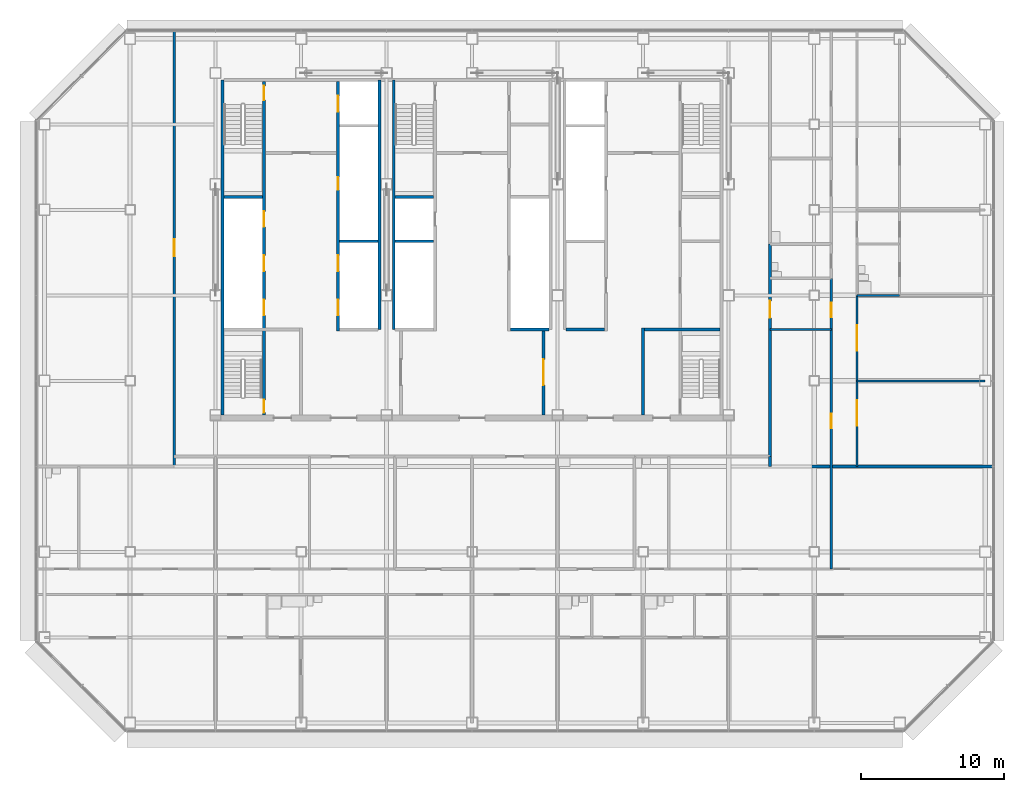
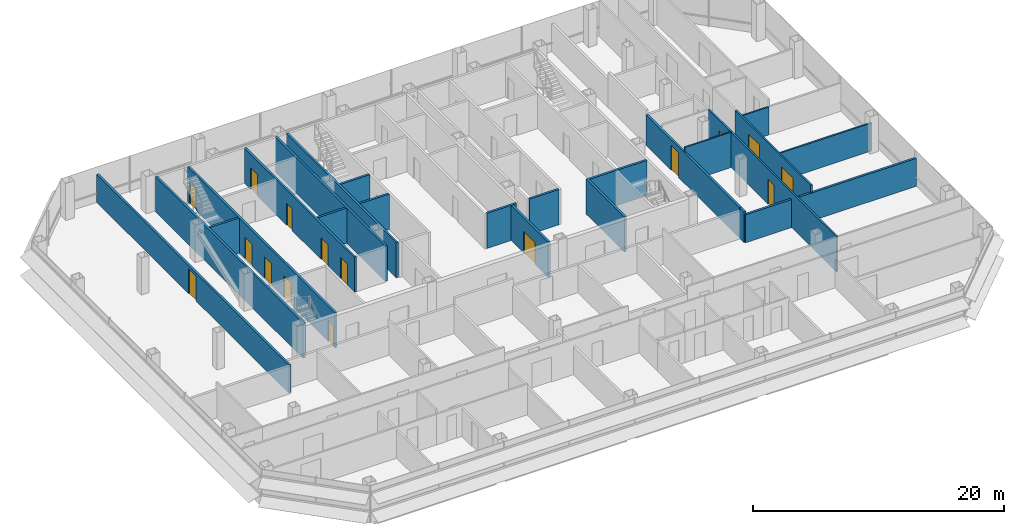
# One storey, part 21 of 25: 23 walls, 16 doors, 16 openings.
"""IFC4 building model written with IfcOpenShell, lengths in metres."""

from ifc_helpers import new_model, si_unit, direction, frame, frame_2d, origin, place, context, subcontext, project, spatial, rectangle, extrude, material, layer, layer_set, type_object, element, fill, save


model = new_model("IFC4")

# Units and contexts
model_context = context("Model", 3, precision=1e-05, world=origin(), true_north=direction((0.0, 1.0)))
body_context = subcontext(model_context, "Body", "Model", "MODEL_VIEW")
ifc_project = project(units=[si_unit("LENGTHUNIT", "METRE"), si_unit("AREAUNIT", "SQUARE_METRE"), si_unit("VOLUMEUNIT", "CUBIC_METRE"), si_unit("PLANEANGLEUNIT", "RADIAN"), si_unit("MASSUNIT", "GRAM", prefix="KILO")], contexts=[model_context])

# Site, building, storey
site_placement = place(None, origin())
site = spatial("IfcSite", under=ifc_project, at=site_placement, CompositionType="ELEMENT")
building_placement = place(site_placement, origin())
building = spatial("IfcBuilding", under=site, at=building_placement, Name="Sorahane Residences", CompositionType="ELEMENT")
storey_placement = place(building_placement, frame((0.0, 0.0, 126.800048828125)))
storey = spatial("IfcBuildingStorey", under=building, at=storey_placement, Name="L28", CompositionType="ELEMENT", Elevation=126.800048828125)

# Walls
ifc_material_1 = material(Name="Concrete C30", Category="concrete")
ifc_layer_1 = layer(ifc_material_1, 0.199951171875)
ifc_layer_set_1 = layer_set([ifc_layer_1], Name="Core face wall 200 EI 180")
wall_type_1 = type_object("IfcWallType", Name="Core face wall 200 EI 180", PredefinedType="SOLIDWALL", material=ifc_layer_set_1)
wall_1_placement = place(storey_placement, frame((6.5, 21.60009765625, 0.0), z_axis=(0.0, 0.0, 1.0), x_axis=(0.0, 1.0, 0.0)))
element("IfcWall", 1, at=wall_1_placement, inside=storey, type_object=wall_type_1, Name="L28 core face wall", PredefinedType="SOLIDWALL", context=body_context, shape_type="SweptSolid", body=[
    extrude(rectangle(XDim=23.5, YDim=0.199951171875, at=frame_2d((11.75, 0.0))), origin(), (0.0, 0.0, 1.0), 3.419921875),
])
for number, where, z_axis, x_axis, name in (
    (2, (17.5, 27.60009765625, 0.0), (0.0, 0.0, 1.0), (0.0, 1.0, 0.0), "L28 core face wall"),
    (3, (18.5, 27.60009765625, 0.0), (0.0, 0.0, 1.0), (0.0, 1.0, 0.0), "L28 core face wall"),
):
    element("IfcWall", number, at=place(storey_placement, frame(where, z_axis=z_axis, x_axis=x_axis)), inside=storey, type_object=wall_type_1, Name=name, PredefinedType="SOLIDWALL", context=body_context, shape_type="SweptSolid", body=[
        extrude(rectangle(XDim=17.5, YDim=0.199951171875, at=frame_2d((8.75, 0.0))), origin(), (0.0, 0.0, 1.0), 3.419921875),
    ])

# Wall, opening, door
ifc_material_2 = material(Name="Concrete blockwork C20 wall", Category="masonry")
ifc_layer_2 = layer(ifc_material_2, 0.199951171875)
ifc_layer_set_2 = layer_set([ifc_layer_2], Name="Corridor wall 200 EI 120")
wall_type_2 = type_object("IfcWallType", Name="Corridor wall 200 EI 120", PredefinedType="SOLIDWALL", material=ifc_layer_set_2)
wall_2_placement = place(storey_placement, frame((3.10009765625, 18.0, 0.0), z_axis=(0.0, 0.0, 1.0), x_axis=(0.0, 1.0, 0.0)))
wall_2 = element("IfcWall", 4, at=wall_2_placement, inside=storey, type_object=wall_type_2, Name="L28 corridor wall", PredefinedType="SOLIDWALL", context=body_context, shape_type="SweptSolid", body=[
    extrude(rectangle(XDim=30.60009765625, YDim=0.199951171875, at=frame_2d((15.300048828125, 0.0))), origin(), (0.0, 0.0, 1.0), 2.719970703125),
])
opening_1_placement = place(wall_2_placement, frame((14.75, 0.0, 0.0)))
opening_1 = element("IfcOpeningElement", 5, at=opening_1_placement, cuts=wall_2, Name="Opening L28-43", PredefinedType="OPENING", context=body_context, shape_type="SweptSolid", body=[
    extrude(rectangle(XDim=1.199951171875, YDim=2.39990234375, at=frame_2d((0.60009765625, 1.199951171875))), frame((0.0, 0.10986328125, 0.0), z_axis=(0.0, -1.0, 0.0), x_axis=(1.0, 0.0, 0.0)), (0.0, 0.0, 1.0), 0.219970703125),
])
ifc_material_3 = material(Name="Steel", Category="steel")
door_type_1 = type_object("IfcDoorType", Name="Lobby door 1200x2400 FD60", OperationType="NOTDEFINED", PredefinedType="DOOR", material=ifc_material_3)
door_1_placement = place(opening_1_placement, origin())
door_1 = element("IfcDoor", 6, at=door_1_placement, inside=storey, type_object=door_type_1, Name="Lobby door L28-43", OperationType="SINGLE_SWING_LEFT", OverallHeight=2.39990234375, OverallWidth=1.199951171875, PredefinedType="DOOR", context=body_context, shape_type="SweptSolid", body=[
    extrude(rectangle(XDim=1.199951171875, YDim=2.39990234375, at=frame_2d((0.60009765625, 1.199951171875))), frame((0.0, 0.02490234375, 0.0), z_axis=(0.0, -1.0, 0.0), x_axis=(1.0, 0.0, 0.0)), (0.0, 0.0, 1.0), 0.050048828125),
])
fill(opening_1, door_1)

wall_3_placement = place(storey_placement, frame((44.89990234375, 18.699951171875, 0.0), z_axis=(0.0, 0.0, 1.0), x_axis=(0.0, 1.0, 0.0)))
wall_3 = element("IfcWall", 7, at=wall_3_placement, inside=storey, type_object=wall_type_2, Name="L28 corridor wall", PredefinedType="SOLIDWALL", context=body_context, shape_type="SweptSolid", body=[
    extrude(rectangle(XDim=14.900146484375, YDim=0.199951171875, at=frame_2d((7.4501953125, 0.0))), origin(), (0.0, 0.0, 1.0), 2.969970703125),
])
opening_2_placement = place(wall_3_placement, frame((9.719970703125, 0.0, 0.0)))
opening_2 = element("IfcOpeningElement", 8, at=opening_2_placement, cuts=wall_3, Name="Opening L28-42", PredefinedType="OPENING", context=body_context, shape_type="SweptSolid", body=[
    extrude(rectangle(XDim=1.199951171875, YDim=2.39990234375, at=frame_2d((0.60009765625, 1.199951171875))), frame((0.0, 0.10986328125, 0.0), z_axis=(0.0, -1.0, 0.0), x_axis=(1.0, 0.0, 0.0)), (0.0, 0.0, 1.0), 0.219970703125),
])
ifc_material_4 = material(Name="Timber veneered fire door", Category="wood")
door_type_2 = type_object("IfcDoorType", Name="Flat entrance door 1200x2400 FD60", OperationType="NOTDEFINED", PredefinedType="DOOR", material=ifc_material_4)
door_2_placement = place(opening_2_placement, frame((1.199951171875, 0.0, 0.0), z_axis=(0.0, 0.0, 1.0), x_axis=(-1.0, 0.0, 0.0)))
door_2 = element("IfcDoor", 9, at=door_2_placement, inside=storey, type_object=door_type_2, Name="Flat entrance door L28-42", OperationType="SINGLE_SWING_RIGHT", OverallHeight=2.39990234375, OverallWidth=1.199951171875, PredefinedType="DOOR", context=body_context, shape_type="SweptSolid", body=[
    extrude(rectangle(XDim=1.199951171875, YDim=2.39990234375, at=frame_2d((0.60009765625, 1.199951171875))), frame((0.0, 0.02490234375, 0.0), z_axis=(0.0, -1.0, 0.0), x_axis=(1.0, 0.0, 0.0)), (0.0, 0.0, 1.0), 0.050048828125),
])
fill(opening_2, door_2)

# Wall
ifc_material_5 = material(Name="Concrete C30", Category="concrete")
ifc_layer_3 = layer(ifc_material_5, 0.199951171875)
ifc_layer_set_3 = layer_set([ifc_layer_3], Name="Front room wall 200 EI 120")
wall_type_3 = type_object("IfcWallType", Name="Front room wall 200 EI 120", PredefinedType="PARTITIONING", material=ifc_layer_set_3)
wall_4_placement = place(storey_placement, frame((36.0, 21.60009765625, 0.0), z_axis=(0.0, 0.0, 1.0), x_axis=(0.0, 1.0, 0.0)))
element("IfcWall", 10, at=wall_4_placement, inside=storey, type_object=wall_type_3, Name="L28 front room wall", PredefinedType="PARTITIONING", context=body_context, shape_type="SweptSolid", body=[
    extrude(rectangle(XDim=6.099853515625, YDim=0.199951171875, at=frame_2d((3.0498046875, 0.0))), origin(), (0.0, 0.0, 1.0), 3.419921875),
])

# Wall, openings, doors
ifc_material_6 = material(Name="Concrete C30", Category="concrete")
ifc_layer_4 = layer(ifc_material_6, 0.199951171875)
ifc_layer_set_4 = layer_set([ifc_layer_4], Name="Lift shaft wall 200 EI 120")
wall_type_4 = type_object("IfcWallType", Name="Lift shaft wall 200 EI 120", PredefinedType="SOLIDWALL", material=ifc_layer_set_4)
wall_5_placement = place(storey_placement, frame((14.60009765625, 27.5, 0.0), z_axis=(0.0, 0.0, 1.0), x_axis=(0.0, 1.0, 0.0)))
wall_5 = element("IfcWall", 11, at=wall_5_placement, inside=storey, type_object=wall_type_4, Name="L28 lift shaft wall", PredefinedType="SOLIDWALL", context=body_context, shape_type="SweptSolid", body=[
    extrude(rectangle(XDim=17.5, YDim=0.199951171875, at=frame_2d((8.75, 0.0))), origin(), (0.0, 0.0, 1.0), 3.419921875),
])
opening_3_placement = place(wall_5_placement, frame((1.10009765625, 0.0, 0.0)))
opening_3 = element("IfcOpeningElement", 12, at=opening_3_placement, cuts=wall_5, Name="Opening L28-C12", PredefinedType="OPENING", context=body_context, shape_type="SweptSolid", body=[
    extrude(rectangle(XDim=1.10009765625, YDim=2.10009765625, at=frame_2d((0.550048828125, 1.050048828125))), frame((0.0, 0.10986328125, 0.0), z_axis=(0.0, -1.0, 0.0), x_axis=(1.0, 0.0, 0.0)), (0.0, 0.0, 1.0), 0.219970703125),
])
opening_4_placement = place(wall_5_placement, frame((4.199951171875, 0.0, 0.0)))
opening_4 = element("IfcOpeningElement", 13, at=opening_4_placement, cuts=wall_5, Name="Opening L28-C13", PredefinedType="OPENING", context=body_context, shape_type="SweptSolid", body=[
    extrude(rectangle(XDim=1.10009765625, YDim=2.10009765625, at=frame_2d((0.550048828125, 1.050048828125))), frame((0.0, 0.10986328125, 0.0), z_axis=(0.0, -1.0, 0.0), x_axis=(1.0, 0.0, 0.0)), (0.0, 0.0, 1.0), 0.219970703125),
])
opening_5_placement = place(wall_5_placement, frame((15.39990234375, 0.0, 0.0)))
opening_5 = element("IfcOpeningElement", 14, at=opening_5_placement, cuts=wall_5, Name="Opening L28-C14", PredefinedType="OPENING", context=body_context, shape_type="SweptSolid", body=[
    extrude(rectangle(XDim=1.10009765625, YDim=2.10009765625, at=frame_2d((0.550048828125, 1.050048828125))), frame((0.0, 0.10986328125, 0.0), z_axis=(0.0, -1.0, 0.0), x_axis=(1.0, 0.0, 0.0)), (0.0, 0.0, 1.0), 0.219970703125),
])
opening_6_placement = place(wall_5_placement, frame((9.89990234375, 0.0, 0.0)))
opening_6 = element("IfcOpeningElement", 15, at=opening_6_placement, cuts=wall_5, Name="Opening L28-C26", PredefinedType="OPENING", context=body_context, shape_type="SweptSolid", body=[
    extrude(rectangle(XDim=0.89990234375, YDim=2.10009765625, at=frame_2d((0.449951171875, 1.050048828125))), frame((0.0, 0.10986328125, 0.0), z_axis=(0.0, -1.0, 0.0), x_axis=(1.0, 0.0, 0.0)), (0.0, 0.0, 1.0), 0.219970703125),
])
ifc_material_7 = material(Name="Aluminium and stainless steel", Category="steel")
door_type_3 = type_object("IfcDoorType", Name="Lift landing door 1100x2100 E 60", OperationType="NOTDEFINED", PredefinedType="DOOR", material=ifc_material_7)
door_3_placement = place(opening_3_placement, origin())
door_3 = element("IfcDoor", 16, at=door_3_placement, inside=storey, type_object=door_type_3, Name="Lift landing door LR4 L28", OperationType="DOUBLE_DOOR_SLIDING", OverallHeight=2.10009765625, OverallWidth=1.10009765625, PredefinedType="DOOR", context=body_context, shape_type="SweptSolid", body=[
    extrude(rectangle(XDim=1.10009765625, YDim=2.10009765625, at=frame_2d((0.550048828125, 1.050048828125))), frame((0.0, 0.02490234375, 0.0), z_axis=(0.0, -1.0, 0.0), x_axis=(1.0, 0.0, 0.0)), (0.0, 0.0, 1.0), 0.050048828125),
])
fill(opening_3, door_3)
door_4_placement = place(opening_4_placement, origin())
door_4 = element("IfcDoor", 17, at=door_4_placement, inside=storey, type_object=door_type_3, Name="Lift landing door LR5 L28", OperationType="DOUBLE_DOOR_SLIDING", OverallHeight=2.10009765625, OverallWidth=1.10009765625, PredefinedType="DOOR", context=body_context, shape_type="SweptSolid", body=[
    extrude(rectangle(XDim=1.10009765625, YDim=2.10009765625, at=frame_2d((0.550048828125, 1.050048828125))), frame((0.0, 0.02490234375, 0.0), z_axis=(0.0, -1.0, 0.0), x_axis=(1.0, 0.0, 0.0)), (0.0, 0.0, 1.0), 0.050048828125),
])
fill(opening_4, door_4)
door_5_placement = place(opening_5_placement, origin())
door_5 = element("IfcDoor", 18, at=door_5_placement, inside=storey, type_object=door_type_3, Name="Lift landing door FF1 L28", OperationType="DOUBLE_DOOR_SLIDING", OverallHeight=2.10009765625, OverallWidth=1.10009765625, PredefinedType="DOOR", context=body_context, shape_type="SweptSolid", body=[
    extrude(rectangle(XDim=1.10009765625, YDim=2.10009765625, at=frame_2d((0.550048828125, 1.050048828125))), frame((0.0, 0.02490234375, 0.0), z_axis=(0.0, -1.0, 0.0), x_axis=(1.0, 0.0, 0.0)), (0.0, 0.0, 1.0), 0.050048828125),
])
fill(opening_5, door_5)
ifc_material_8 = material(Name="Steel", Category="steel")
door_type_4 = type_object("IfcDoorType", Name="Riser door 900x2100 FD120", OperationType="NOTDEFINED", PredefinedType="DOOR", material=ifc_material_8)
door_6_placement = place(opening_6_placement, origin())
door_6 = element("IfcDoor", 19, at=door_6_placement, inside=storey, type_object=door_type_4, Name="Riser door R1 L28", OperationType="SINGLE_SWING_LEFT", OverallHeight=2.10009765625, OverallWidth=0.89990234375, PredefinedType="DOOR", context=body_context, shape_type="SweptSolid", body=[
    extrude(rectangle(XDim=0.89990234375, YDim=2.10009765625, at=frame_2d((0.449951171875, 1.050048828125))), frame((0.0, 0.02490234375, 0.0), z_axis=(0.0, -1.0, 0.0), x_axis=(1.0, 0.0, 0.0)), (0.0, 0.0, 1.0), 0.050048828125),
])
fill(opening_6, door_6)

# Walls
for number, where, z_axis, x_axis, name in (
    (20, (14.699951171875, 33.800048828125, 0.0), (0.0, 0.0, 1.0), (1.0, 0.0, 0.0), "L28 lift shaft wall"),
    (21, (18.60009765625, 33.800048828125, 0.0), (0.0, 0.0, 1.0), (1.0, 0.0, 0.0), "L28 lift shaft wall"),
):
    element("IfcWall", number, at=place(storey_placement, frame(where, z_axis=z_axis, x_axis=x_axis)), inside=storey, type_object=wall_type_4, Name=name, PredefinedType="SOLIDWALL", context=body_context, shape_type="SweptSolid", body=[
        extrude(rectangle(XDim=2.699951171875, YDim=0.199951171875, at=frame_2d((1.35009765625, 0.0))), origin(), (0.0, 0.0, 1.0), 3.419921875),
    ])

# Wall, openings, doors
ifc_material_9 = material(Name="Gypsum board partition on steel studs", Category="steel")
ifc_layer_5 = layer(ifc_material_9, 0.14990234375)
ifc_layer_set_5 = layer_set([ifc_layer_5], Name="Partition 150 EI 90")
wall_type_5 = type_object("IfcWallType", Name="Partition 150 EI 90", PredefinedType="PARTITIONING", material=ifc_layer_set_5)
wall_6_placement = place(storey_placement, frame((49.199951171875, 10.800048828125, 0.0), z_axis=(0.0, 0.0, 1.0), x_axis=(0.0, 1.0, 0.0)))
wall_6 = element("IfcWall", 22, at=wall_6_placement, inside=storey, type_object=wall_type_5, Name="L28 partition", PredefinedType="PARTITIONING", context=body_context, shape_type="SweptSolid", body=[
    extrude(rectangle(XDim=20.39990234375, YDim=0.14990234375, at=frame_2d((10.199951171875, 0.0))), origin(), (0.0, 0.0, 1.0), 3.419921875),
])
opening_7_placement = place(wall_6_placement, frame((17.679931640625, 0.0, 0.0)))
opening_7 = element("IfcOpeningElement", 23, at=opening_7_placement, cuts=wall_6, Name="Opening L28-28", PredefinedType="OPENING", context=body_context, shape_type="SweptSolid", body=[
    extrude(rectangle(XDim=1.0, YDim=2.39990234375, at=frame_2d((0.5, 1.199951171875))), frame((0.0, 0.0849609375, 0.0), z_axis=(0.0, -1.0, 0.0), x_axis=(1.0, 0.0, 0.0)), (0.0, 0.0, 1.0), 0.169921875),
])
opening_8_placement = place(wall_6_placement, frame((9.8798828125, 0.0, 0.0)))
opening_8 = element("IfcOpeningElement", 24, at=opening_8_placement, cuts=wall_6, Name="Opening L28-29", PredefinedType="OPENING", context=body_context, shape_type="SweptSolid", body=[
    extrude(rectangle(XDim=1.0, YDim=2.39990234375, at=frame_2d((0.5, 1.199951171875))), frame((0.0, 0.0849609375, 0.0), z_axis=(0.0, -1.0, 0.0), x_axis=(1.0, 0.0, 0.0)), (0.0, 0.0, 1.0), 0.169921875),
])
ifc_material_10 = material(Name="Timber veneered fire door", Category="wood")
door_type_5 = type_object("IfcDoorType", Name="Room door 1000x2400 FD30", OperationType="NOTDEFINED", PredefinedType="DOOR", material=ifc_material_10)
door_7_placement = place(opening_7_placement, frame((1.0, 0.0, 0.0), z_axis=(0.0, 0.0, 1.0), x_axis=(-1.0, 0.0, 0.0)))
door_7 = element("IfcDoor", 25, at=door_7_placement, inside=storey, type_object=door_type_5, Name="Room door L28-28", OperationType="SINGLE_SWING_RIGHT", OverallHeight=2.39990234375, OverallWidth=1.0, PredefinedType="DOOR", context=body_context, shape_type="SweptSolid", body=[
    extrude(rectangle(XDim=1.0, YDim=2.39990234375, at=frame_2d((0.5, 1.199951171875))), frame((0.0, 0.02490234375, 0.0), z_axis=(0.0, -1.0, 0.0), x_axis=(1.0, 0.0, 0.0)), (0.0, 0.0, 1.0), 0.050048828125),
])
fill(opening_7, door_7)
door_8_placement = place(opening_8_placement, origin())
door_8 = element("IfcDoor", 26, at=door_8_placement, inside=storey, type_object=door_type_5, Name="Room door L28-29", OperationType="SINGLE_SWING_RIGHT", OverallHeight=2.39990234375, OverallWidth=1.0, PredefinedType="DOOR", context=body_context, shape_type="SweptSolid", body=[
    extrude(rectangle(XDim=1.0, YDim=2.39990234375, at=frame_2d((0.5, 1.199951171875))), frame((0.0, 0.02490234375, 0.0), z_axis=(0.0, -1.0, 0.0), x_axis=(1.0, 0.0, 0.0)), (0.0, 0.0, 1.0), 0.050048828125),
])
fill(opening_8, door_8)

wall_7_placement = place(storey_placement, frame((51.0, 18.0, 0.0), z_axis=(0.0, 0.0, 1.0), x_axis=(0.0, 1.0, 0.0)))
wall_7 = element("IfcWall", 27, at=wall_7_placement, inside=storey, type_object=wall_type_5, Name="L28 partition", PredefinedType="PARTITIONING", context=body_context, shape_type="SweptSolid", body=[
    extrude(rectangle(XDim=12.0, YDim=0.14990234375, at=frame_2d((6.0, 0.0))), origin(), (0.0, 0.0, 1.0), 3.419921875),
])
opening_9_placement = place(wall_7_placement, frame((2.840087890625, 0.0, 0.0)))
opening_9 = element("IfcOpeningElement", 28, at=opening_9_placement, cuts=wall_7, Name="Opening L28-33", PredefinedType="OPENING", context=body_context, shape_type="SweptSolid", body=[
    extrude(rectangle(XDim=1.800048828125, YDim=2.39990234375, at=frame_2d((0.89990234375, 1.199951171875))), frame((0.0, 0.0849609375, 0.0), z_axis=(0.0, -1.0, 0.0), x_axis=(1.0, 0.0, 0.0)), (0.0, 0.0, 1.0), 0.169921875),
])
opening_10_placement = place(wall_7_placement, frame((8.10009765625, 0.0, 0.0)))
opening_10 = element("IfcOpeningElement", 29, at=opening_10_placement, cuts=wall_7, Name="Opening L28-34", PredefinedType="OPENING", context=body_context, shape_type="SweptSolid", body=[
    extrude(rectangle(XDim=1.800048828125, YDim=2.39990234375, at=frame_2d((0.89990234375, 1.199951171875))), frame((0.0, 0.0849609375, 0.0), z_axis=(0.0, -1.0, 0.0), x_axis=(1.0, 0.0, 0.0)), (0.0, 0.0, 1.0), 0.169921875),
])
ifc_material_11 = material(Name="Timber veneered fire door", Category="wood")
door_type_6 = type_object("IfcDoorType", Name="Double door 1800x2400 FD30", OperationType="NOTDEFINED", PredefinedType="DOOR", material=ifc_material_11)
door_9_placement = place(opening_9_placement, frame((1.800048828125, 0.0, 0.0), z_axis=(0.0, 0.0, 1.0), x_axis=(-1.0, 0.0, 0.0)))
door_9 = element("IfcDoor", 30, at=door_9_placement, inside=storey, type_object=door_type_6, Name="Double door L28-33", OperationType="SINGLE_SWING_RIGHT", OverallHeight=2.39990234375, OverallWidth=1.800048828125, PredefinedType="DOOR", context=body_context, shape_type="SweptSolid", body=[
    extrude(rectangle(XDim=1.800048828125, YDim=2.39990234375, at=frame_2d((0.89990234375, 1.199951171875))), frame((0.0, 0.02490234375, 0.0), z_axis=(0.0, -1.0, 0.0), x_axis=(1.0, 0.0, 0.0)), (0.0, 0.0, 1.0), 0.050048828125),
])
fill(opening_9, door_9)
door_10_placement = place(opening_10_placement, frame((1.800048828125, 0.0, 0.0), z_axis=(0.0, 0.0, 1.0), x_axis=(-1.0, 0.0, 0.0)))
door_10 = element("IfcDoor", 31, at=door_10_placement, inside=storey, type_object=door_type_6, Name="Double door L28-34", OperationType="SINGLE_SWING_LEFT", OverallHeight=2.39990234375, OverallWidth=1.800048828125, PredefinedType="DOOR", context=body_context, shape_type="SweptSolid", body=[
    extrude(rectangle(XDim=1.800048828125, YDim=2.39990234375, at=frame_2d((0.89990234375, 1.199951171875))), frame((0.0, 0.02490234375, 0.0), z_axis=(0.0, -1.0, 0.0), x_axis=(1.0, 0.0, 0.0)), (0.0, 0.0, 1.0), 0.050048828125),
])
fill(opening_10, door_10)

# Walls
wall_8_placement = place(storey_placement, frame((51.0, 24.0, 0.0), z_axis=(0.0, 0.0, 1.0), x_axis=(1.0, 0.0, 0.0)))
element("IfcWall", 32, at=wall_8_placement, inside=storey, type_object=wall_type_5, Name="L28 partition", PredefinedType="PARTITIONING", context=body_context, shape_type="SweptSolid", body=[
    extrude(rectangle(XDim=9.0, YDim=0.14990234375, at=frame_2d((4.5, 0.0))), origin(), (0.0, 0.0, 1.0), 2.719970703125),
])
wall_9_placement = place(storey_placement, frame((44.89990234375, 27.60009765625, 0.0), z_axis=(0.0, 0.0, 1.0), x_axis=(1.0, 0.0, 0.0)))
element("IfcWall", 33, at=wall_9_placement, inside=storey, type_object=wall_type_5, Name="L28 partition", PredefinedType="PARTITIONING", context=body_context, shape_type="SweptSolid", body=[
    extrude(rectangle(XDim=4.300048828125, YDim=0.14990234375, at=frame_2d((2.14990234375, 0.0))), origin(), (0.0, 0.0, 1.0), 3.419921875),
])
ifc_material_12 = material(Name="Concrete blockwork C20 wall", Category="masonry")
ifc_layer_6 = layer(ifc_material_12, 0.199951171875)
ifc_layer_set_6 = layer_set([ifc_layer_6], Name="Party wall 200 EI 120")
wall_type_6 = type_object("IfcWallType", Name="Party wall 200 EI 120", PredefinedType="SOLIDWALL", material=ifc_layer_set_6)
wall_10_placement = place(storey_placement, frame((44.89990234375, 18.0, 0.0), z_axis=(0.0, 0.0, 1.0), x_axis=(0.0, 1.0, 0.0)))
element("IfcWall", 34, at=wall_10_placement, inside=storey, type_object=wall_type_6, Name="L28 party wall", PredefinedType="SOLIDWALL", context=body_context, shape_type="SweptSolid", body=[
    extrude(rectangle(XDim=0.699951171875, YDim=0.199951171875, at=frame_2d((0.35009765625, 0.0))), origin(), (0.0, 0.0, 1.0), 2.969970703125),
])
wall_11_placement = place(storey_placement, frame((44.89990234375, 18.0, 0.0), z_axis=(0.0, 0.0, 1.0), x_axis=(1.0, 0.0, 0.0)))
element("IfcWall", 35, at=wall_11_placement, inside=storey, type_object=wall_type_6, Name="L28 party wall", PredefinedType="SOLIDWALL", context=body_context, shape_type="SweptSolid", body=[
    extrude(rectangle(XDim=15.7001953125, YDim=0.199951171875, at=frame_2d((7.85009765625, 0.0))), origin(), (0.0, 0.0, 1.0), 2.719970703125),
])
ifc_material_13 = material(Name="Concrete C30", Category="concrete")
ifc_layer_7 = layer(ifc_material_13, 0.199951171875)
ifc_layer_set_7 = layer_set([ifc_layer_7], Name="Riser shaft wall 200 EI 120")
wall_type_7 = type_object("IfcWallType", Name="Riser shaft wall 200 EI 120", PredefinedType="SOLIDWALL", material=ifc_layer_set_7)
wall_12_placement = place(storey_placement, frame((26.699951171875, 27.60009765625, 0.0), z_axis=(0.0, 0.0, 1.0), x_axis=(1.0, 0.0, 0.0)))
element("IfcWall", 36, at=wall_12_placement, inside=storey, type_object=wall_type_7, Name="L28 riser wall", PredefinedType="SOLIDWALL", context=body_context, shape_type="SweptSolid", body=[
    extrude(rectangle(XDim=2.699951171875, YDim=0.199951171875, at=frame_2d((1.35009765625, 0.0))), origin(), (0.0, 0.0, 1.0), 3.419921875),
])

# Wall, opening, door
ifc_material_14 = material(Name="Concrete C30", Category="concrete")
ifc_layer_8 = layer(ifc_material_14, 0.199951171875)
ifc_layer_set_8 = layer_set([ifc_layer_8], Name="Service room partition 200 EI 60")
wall_type_8 = type_object("IfcWallType", Name="Service room partition 200 EI 60", PredefinedType="PARTITIONING", material=ifc_layer_set_8)
wall_13_placement = place(storey_placement, frame((29.0, 21.60009765625, 0.0), z_axis=(0.0, 0.0, 1.0), x_axis=(0.0, 1.0, 0.0)))
wall_13 = element("IfcWall", 37, at=wall_13_placement, inside=storey, type_object=wall_type_8, Name="L28 service room wall", PredefinedType="PARTITIONING", context=body_context, shape_type="SweptSolid", body=[
    extrude(rectangle(XDim=6.0, YDim=0.199951171875, at=frame_2d((3.0, 0.0))), origin(), (0.0, 0.0, 1.0), 3.419921875),
])
opening_11_placement = place(wall_13_placement, frame((2.10009765625, 0.0, 0.0)))
opening_11 = element("IfcOpeningElement", 38, at=opening_11_placement, cuts=wall_13, Name="Opening L28-C04", PredefinedType="OPENING", context=body_context, shape_type="SweptSolid", body=[
    extrude(rectangle(XDim=1.800048828125, YDim=2.10009765625, at=frame_2d((0.89990234375, 1.050048828125))), frame((0.0, 0.10986328125, 0.0), z_axis=(0.0, -1.0, 0.0), x_axis=(1.0, 0.0, 0.0)), (0.0, 0.0, 1.0), 0.219970703125),
])
ifc_material_15 = material(Name="Steel", Category="steel")
door_type_7 = type_object("IfcDoorType", Name="Waiting hall door 1800x2100 FD60", OperationType="NOTDEFINED", PredefinedType="DOOR", material=ifc_material_15)
door_11_placement = place(opening_11_placement, origin())
door_11 = element("IfcDoor", 39, at=door_11_placement, inside=storey, type_object=door_type_7, Name="Waiting hall door Residents' waiting hall centre L28", OperationType="SINGLE_SWING_LEFT", OverallHeight=2.10009765625, OverallWidth=1.800048828125, PredefinedType="DOOR", context=body_context, shape_type="SweptSolid", body=[
    extrude(rectangle(XDim=1.800048828125, YDim=2.10009765625, at=frame_2d((0.89990234375, 1.050048828125))), frame((0.0, 0.02490234375, 0.0), z_axis=(0.0, -1.0, 0.0), x_axis=(1.0, 0.0, 0.0)), (0.0, 0.0, 1.0), 0.050048828125),
])
fill(opening_11, door_11)

# Wall
wall_14_placement = place(storey_placement, frame((30.60009765625, 27.60009765625, 0.0), z_axis=(0.0, 0.0, 1.0), x_axis=(1.0, 0.0, 0.0)))
element("IfcWall", 40, at=wall_14_placement, inside=storey, type_object=wall_type_8, Name="L28 service room wall", PredefinedType="PARTITIONING", context=body_context, shape_type="SweptSolid", body=[
    extrude(rectangle(XDim=2.699951171875, YDim=0.199951171875, at=frame_2d((1.35009765625, 0.0))), origin(), (0.0, 0.0, 1.0), 3.419921875),
])

# Wall, openings, doors
ifc_material_16 = material(Name="Concrete C30", Category="concrete")
ifc_layer_9 = layer(ifc_material_16, 0.199951171875)
ifc_layer_set_9 = layer_set([ifc_layer_9], Name="Stair enclosure wall 200 EI 120")
wall_type_9 = type_object("IfcWallType", Name="Stair enclosure wall 200 EI 120", PredefinedType="SOLIDWALL", material=ifc_layer_set_9)
wall_15_placement = place(storey_placement, frame((9.39990234375, 21.60009765625, 0.0), z_axis=(0.0, 0.0, 1.0), x_axis=(0.0, 1.0, 0.0)))
wall_15 = element("IfcWall", 41, at=wall_15_placement, inside=storey, type_object=wall_type_9, Name="L28 stair enclosure wall", PredefinedType="SOLIDWALL", context=body_context, shape_type="SweptSolid", body=[
    extrude(rectangle(XDim=23.39990234375, YDim=0.199951171875, at=frame_2d((11.699951171875, 0.0))), origin(), (0.0, 0.0, 1.0), 3.419921875),
])
opening_12_placement = place(wall_15_placement, frame((7.0, 0.0, 0.0)))
opening_12 = element("IfcOpeningElement", 42, at=opening_12_placement, cuts=wall_15, Name="Opening L28-C15", PredefinedType="OPENING", context=body_context, shape_type="SweptSolid", body=[
    extrude(rectangle(XDim=1.10009765625, YDim=2.10009765625, at=frame_2d((0.550048828125, 1.050048828125))), frame((0.0, 0.10986328125, 0.0), z_axis=(0.0, -1.0, 0.0), x_axis=(1.0, 0.0, 0.0)), (0.0, 0.0, 1.0), 0.219970703125),
])
opening_13_placement = place(wall_15_placement, frame((10.10009765625, 0.0, 0.0)))
opening_13 = element("IfcOpeningElement", 43, at=opening_13_placement, cuts=wall_15, Name="Opening L28-C16", PredefinedType="OPENING", context=body_context, shape_type="SweptSolid", body=[
    extrude(rectangle(XDim=1.10009765625, YDim=2.10009765625, at=frame_2d((0.550048828125, 1.050048828125))), frame((0.0, 0.10986328125, 0.0), z_axis=(0.0, -1.0, 0.0), x_axis=(1.0, 0.0, 0.0)), (0.0, 0.0, 1.0), 0.219970703125),
])
opening_14_placement = place(wall_15_placement, frame((13.199951171875, 0.0, 0.0)))
opening_14 = element("IfcOpeningElement", 44, at=opening_14_placement, cuts=wall_15, Name="Opening L28-C17", PredefinedType="OPENING", context=body_context, shape_type="SweptSolid", body=[
    extrude(rectangle(XDim=1.10009765625, YDim=2.10009765625, at=frame_2d((0.550048828125, 1.050048828125))), frame((0.0, 0.10986328125, 0.0), z_axis=(0.0, -1.0, 0.0), x_axis=(1.0, 0.0, 0.0)), (0.0, 0.0, 1.0), 0.219970703125),
])
opening_15_placement = place(wall_15_placement, frame((22.10009765625, 0.0, 0.0)))
opening_15 = element("IfcOpeningElement", 45, at=opening_15_placement, cuts=wall_15, Name="Opening L28-C21", PredefinedType="OPENING", context=body_context, shape_type="SweptSolid", body=[
    extrude(rectangle(XDim=1.0, YDim=2.10009765625, at=frame_2d((0.5, 1.050048828125))), frame((0.0, 0.10986328125, 0.0), z_axis=(0.0, -1.0, 0.0), x_axis=(1.0, 0.0, 0.0)), (0.0, 0.0, 1.0), 0.219970703125),
])
opening_16_placement = place(wall_15_placement, frame((0.175048828125, 0.0, 0.0)))
opening_16 = element("IfcOpeningElement", 46, at=opening_16_placement, cuts=wall_15, Name="Opening L28-C24", PredefinedType="OPENING", context=body_context, shape_type="SweptSolid", body=[
    extrude(rectangle(XDim=0.89990234375, YDim=2.10009765625, at=frame_2d((0.449951171875, 1.050048828125))), frame((0.0, 0.10986328125, 0.0), z_axis=(0.0, -1.0, 0.0), x_axis=(1.0, 0.0, 0.0)), (0.0, 0.0, 1.0), 0.219970703125),
])
door_12_placement = place(opening_12_placement, origin())
door_12 = element("IfcDoor", 47, at=door_12_placement, inside=storey, type_object=door_type_3, Name="Lift landing door LR1 L28", OperationType="DOUBLE_DOOR_SLIDING", OverallHeight=2.10009765625, OverallWidth=1.10009765625, PredefinedType="DOOR", context=body_context, shape_type="SweptSolid", body=[
    extrude(rectangle(XDim=1.10009765625, YDim=2.10009765625, at=frame_2d((0.550048828125, 1.050048828125))), frame((0.0, 0.02490234375, 0.0), z_axis=(0.0, -1.0, 0.0), x_axis=(1.0, 0.0, 0.0)), (0.0, 0.0, 1.0), 0.050048828125),
])
fill(opening_12, door_12)
door_13_placement = place(opening_13_placement, origin())
door_13 = element("IfcDoor", 48, at=door_13_placement, inside=storey, type_object=door_type_3, Name="Lift landing door LR2 L28", OperationType="DOUBLE_DOOR_SLIDING", OverallHeight=2.10009765625, OverallWidth=1.10009765625, PredefinedType="DOOR", context=body_context, shape_type="SweptSolid", body=[
    extrude(rectangle(XDim=1.10009765625, YDim=2.10009765625, at=frame_2d((0.550048828125, 1.050048828125))), frame((0.0, 0.02490234375, 0.0), z_axis=(0.0, -1.0, 0.0), x_axis=(1.0, 0.0, 0.0)), (0.0, 0.0, 1.0), 0.050048828125),
])
fill(opening_13, door_13)
door_14_placement = place(opening_14_placement, origin())
door_14 = element("IfcDoor", 49, at=door_14_placement, inside=storey, type_object=door_type_3, Name="Lift landing door LR3 L28", OperationType="DOUBLE_DOOR_SLIDING", OverallHeight=2.10009765625, OverallWidth=1.10009765625, PredefinedType="DOOR", context=body_context, shape_type="SweptSolid", body=[
    extrude(rectangle(XDim=1.10009765625, YDim=2.10009765625, at=frame_2d((0.550048828125, 1.050048828125))), frame((0.0, 0.02490234375, 0.0), z_axis=(0.0, -1.0, 0.0), x_axis=(1.0, 0.0, 0.0)), (0.0, 0.0, 1.0), 0.050048828125),
])
fill(opening_14, door_14)
ifc_material_17 = material(Name="Steel", Category="steel")
door_type_8 = type_object("IfcDoorType", Name="Stair door 1000x2100 FD120", OperationType="NOTDEFINED", PredefinedType="DOOR", material=ifc_material_17)
door_15_placement = place(opening_15_placement, origin())
door_15 = element("IfcDoor", 50, at=door_15_placement, inside=storey, type_object=door_type_8, Name="Stair door S1 L28", OperationType="SINGLE_SWING_LEFT", OverallHeight=2.10009765625, OverallWidth=1.0, PredefinedType="DOOR", context=body_context, shape_type="SweptSolid", body=[
    extrude(rectangle(XDim=1.0, YDim=2.10009765625, at=frame_2d((0.5, 1.050048828125))), frame((0.0, 0.02490234375, 0.0), z_axis=(0.0, -1.0, 0.0), x_axis=(1.0, 0.0, 0.0)), (0.0, 0.0, 1.0), 0.050048828125),
])
fill(opening_15, door_15)
ifc_material_18 = material(Name="Steel", Category="steel")
door_type_9 = type_object("IfcDoorType", Name="Stair door 900x2100 FD120", OperationType="NOTDEFINED", PredefinedType="DOOR", material=ifc_material_18)
door_16_placement = place(opening_16_placement, origin())
door_16 = element("IfcDoor", 51, at=door_16_placement, inside=storey, type_object=door_type_9, Name="Stair door S4 L28", OperationType="SINGLE_SWING_LEFT", OverallHeight=2.10009765625, OverallWidth=0.89990234375, PredefinedType="DOOR", context=body_context, shape_type="SweptSolid", body=[
    extrude(rectangle(XDim=0.89990234375, YDim=2.10009765625, at=frame_2d((0.449951171875, 1.050048828125))), frame((0.0, 0.02490234375, 0.0), z_axis=(0.0, -1.0, 0.0), x_axis=(1.0, 0.0, 0.0)), (0.0, 0.0, 1.0), 0.050048828125),
])
fill(opening_16, door_16)

# Walls
wall_16_placement = place(storey_placement, frame((36.10009765625, 27.60009765625, 0.0), z_axis=(0.0, 0.0, 1.0), x_axis=(1.0, 0.0, 0.0)))
element("IfcWall", 52, at=wall_16_placement, inside=storey, type_object=wall_type_9, Name="L28 stair enclosure wall", PredefinedType="SOLIDWALL", context=body_context, shape_type="SweptSolid", body=[
    extrude(rectangle(XDim=5.2998046875, YDim=0.199951171875, at=frame_2d((2.64990234375, 0.0))), origin(), (0.0, 0.0, 1.0), 3.419921875),
])
for number, where, z_axis, x_axis, name in (
    (53, (18.60009765625, 36.89990234375, 0.0), (0.0, 0.0, 1.0), (1.0, 0.0, 0.0), "L28 stair enclosure wall"),
    (54, (6.60009765625, 36.89990234375, 0.0), (0.0, 0.0, 1.0), (1.0, 0.0, 0.0), "L28 stair enclosure wall"),
):
    element("IfcWall", number, at=place(storey_placement, frame(where, z_axis=z_axis, x_axis=x_axis)), inside=storey, type_object=wall_type_9, Name=name, PredefinedType="SOLIDWALL", context=body_context, shape_type="SweptSolid", body=[
        extrude(rectangle(XDim=2.699951171875, YDim=0.199951171875, at=frame_2d((1.35009765625, 0.0))), origin(), (0.0, 0.0, 1.0), 3.419921875),
    ])
ifc_material_19 = material(Name="Gypsum board partition on steel studs", Category="steel")
ifc_layer_10 = layer(ifc_material_19, 0.14990234375)
ifc_layer_set_10 = layer_set([ifc_layer_10], Name="Wet wall 150 EI 90")
wall_type_10 = type_object("IfcWallType", Name="Wet wall 150 EI 90", PredefinedType="PARTITIONING", material=ifc_layer_set_10)
wall_17_placement = place(storey_placement, frame((51.0, 30.0, 0.0), z_axis=(0.0, 0.0, 1.0), x_axis=(1.0, 0.0, 0.0)))
element("IfcWall", 55, at=wall_17_placement, inside=storey, type_object=wall_type_10, Name="L28 wet wall", PredefinedType="PARTITIONING", context=body_context, shape_type="SweptSolid", body=[
    extrude(rectangle(XDim=3.0, YDim=0.14990234375, at=frame_2d((1.5, 0.0))), origin(), (0.0, 0.0, 1.0), 2.719970703125),
])

save(model, "model.ifc")
